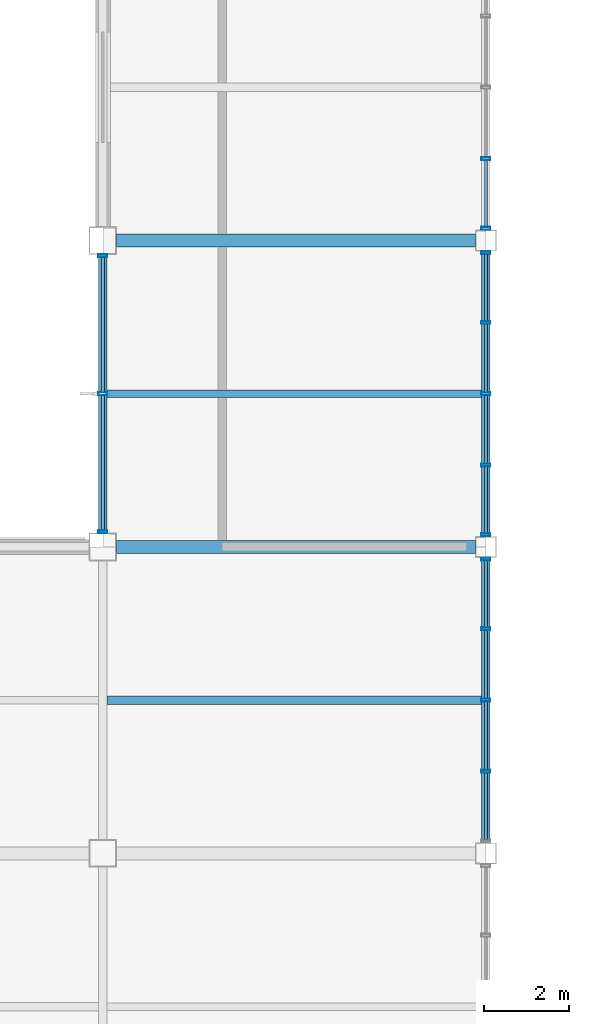
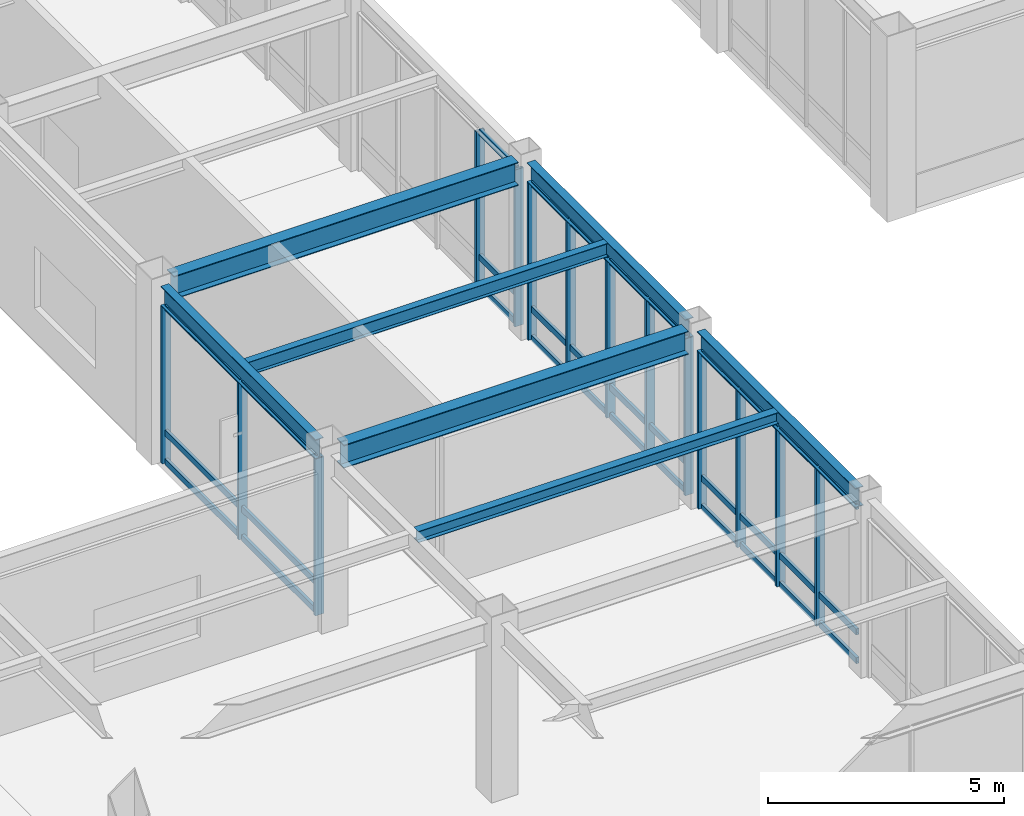
# One storey, part 41 of 112: 47 members, 7 beams, 4 elements without a shape of their own.
"""IFC4 building model written with IfcOpenShell, lengths in metres."""

from ifc_helpers import new_model, si_unit, direction, frame, origin, origin_2d, place, context, subcontext, project, spatial, hollow_rectangle, i_section, extrude, material, material_profile, profile_set, type_object, element, aggregate, save


model = new_model("IFC4")

# Units and contexts
model_context = context("Model", 3, precision=1e-05, world=origin(), true_north=direction((0.0, 1.0)))
body_context = subcontext(model_context, "Body", "Model", "MODEL_VIEW")
ifc_project = project(units=[si_unit("LENGTHUNIT", "METRE"), si_unit("AREAUNIT", "SQUARE_METRE"), si_unit("VOLUMEUNIT", "CUBIC_METRE"), si_unit("PLANEANGLEUNIT", "RADIAN"), si_unit("MASSUNIT", "GRAM", prefix="KILO")], contexts=[model_context])

# Site, building, storey
site_placement = place(None, origin())
site = spatial("IfcSite", under=ifc_project, at=site_placement, CompositionType="ELEMENT")
building_placement = place(site_placement, origin())
building = spatial("IfcBuilding", under=site, at=building_placement, Name="Kazanami Central Library", CompositionType="ELEMENT")
storey_placement = place(building_placement, origin())
storey = spatial("IfcBuildingStorey", under=building, at=storey_placement, Name="L01", CompositionType="ELEMENT", Elevation=0.0)

# Beams
ifc_material_1 = material(Name="Steel SN400B (235 MPa)", Category="steel")
ifc_material_profile_1 = material_profile(ifc_material_1, i_section(OverallWidth=0.175048828125, OverallDepth=0.35009765625, WebThickness=0.007080078125, FlangeThickness=0.010986328125, at=origin_2d()), Name="H-350x175x7x11")
ifc_profile_set_1 = profile_set([ifc_material_profile_1], Name="Steel SN400B (235 MPa)")
beam_type_1 = type_object("IfcBeamType", Name="BM-B-S2", PredefinedType="JOIST", material=ifc_profile_set_1)
beam_1_placement = place(storey_placement, frame((99.097900390625, 39.60009765625, 4.3798828125), z_axis=(1.0, 0.0, 0.0), x_axis=(0.0, 1.0, 0.0)))
element("IfcBeam", 1, at=beam_1_placement, inside=storey, type_object=beam_type_1, Name="Composite Secondary Joist B-S2 L01 Bay 12/F.1", PredefinedType="JOIST", context=body_context, shape_type="SweptSolid", body=[
    extrude(i_section(OverallWidth=0.175048828125, OverallDepth=0.35009765625, WebThickness=0.007080078125, FlangeThickness=0.010986328125, at=origin_2d()), origin(), (0.0, 0.0, 1.0), 8.80419921875),
])
ifc_material_profile_2 = material_profile(ifc_material_1, i_section(OverallWidth=0.199951171875, OverallDepth=0.2939453125, WebThickness=0.008056640625, FlangeThickness=0.011962890625, at=origin_2d()), Name="H-294x200x8x12")
ifc_profile_set_2 = profile_set([ifc_material_profile_2], Name="Steel SN400B (235 MPa)")
beam_type_2 = type_object("IfcBeamType", Name="BM-B-S5", PredefinedType="JOIST", material=ifc_profile_set_2)
beam_2_placement = place(storey_placement, frame((99.097900390625, 32.39990234375, 4.407958984375), z_axis=(1.0, 0.0, 0.0), x_axis=(0.0, 1.0, 0.0)))
element("IfcBeam", 2, at=beam_2_placement, inside=storey, type_object=beam_type_2, Name="Composite Secondary Joist B-S5 L01 Bay 12/E.1", PredefinedType="JOIST", context=body_context, shape_type="SweptSolid", body=[
    extrude(i_section(OverallWidth=0.199951171875, OverallDepth=0.2939453125, WebThickness=0.008056640625, FlangeThickness=0.011962890625, at=origin_2d()), origin(), (0.0, 0.0, 1.0), 8.80419921875),
])
ifc_material_2 = material(Name="Steel SN490B (325 MPa)", Category="steel")
ifc_material_profile_3 = material_profile(ifc_material_2, i_section(OverallWidth=0.300048828125, OverallDepth=0.60009765625, WebThickness=0.011962890625, FlangeThickness=0.02001953125, at=origin_2d()), Name="H-600x300x12x20")
ifc_profile_set_3 = profile_set([ifc_material_profile_3], Name="Steel SN490B (325 MPa)")
beam_type_3 = type_object("IfcBeamType", Name="BM-G-X1", PredefinedType="BEAM", material=ifc_profile_set_3)
for number, where, z_axis, x_axis, name in (
    (3, (99.322998046875, 36.0, 4.2548828125), (1.0, 0.0, 0.0), (0.0, 1.0, 0.0), "Girder G-X1 L01 F/12-13"),
    (4, (99.322998046875, 43.199951171875, 4.2548828125), (1.0, 0.0, 0.0), (0.0, 1.0, 0.0), "Girder G-X1 L01 G/12-13"),
):
    element("IfcBeam", number, at=place(storey_placement, frame(where, z_axis=z_axis, x_axis=x_axis)), inside=storey, type_object=beam_type_3, Name=name, PredefinedType="BEAM", context=body_context, shape_type="SweptSolid", body=[
        extrude(i_section(OverallWidth=0.300048828125, OverallDepth=0.60009765625, WebThickness=0.011962890625, FlangeThickness=0.02001953125, at=origin_2d()), origin(), (0.0, 0.0, 1.0), 8.428955078125),
    ])
ifc_material_profile_4 = material_profile(ifc_material_2, i_section(OverallWidth=0.199951171875, OverallDepth=0.5, WebThickness=0.010009765625, FlangeThickness=0.01611328125, at=origin_2d()), Name="H-500x200x10x16")
ifc_profile_set_4 = profile_set([ifc_material_profile_4], Name="Steel SN490B (325 MPa)")
beam_type_4 = type_object("IfcBeamType", Name="BM-SP-1", PredefinedType="SPANDREL", material=ifc_profile_set_4)
beam_3_placement = place(storey_placement, frame((99.0, 36.322998046875, 4.304931640625), z_axis=(0.0, 1.0, 0.0), x_axis=(-1.0, 0.0, 0.0)))
element("IfcBeam", 5, at=beam_3_placement, inside=storey, type_object=beam_type_4, Name="Girder SP-1 L01 12/F-G", PredefinedType="SPANDREL", context=body_context, shape_type="SweptSolid", body=[
    extrude(i_section(OverallWidth=0.199951171875, OverallDepth=0.5, WebThickness=0.010009765625, FlangeThickness=0.01611328125, at=origin_2d()), origin(), (0.0, 0.0, 1.0), 6.553955078125),
])
for number, where, z_axis, x_axis, name in (
    (6, (108.0, 29.048095703125, 4.304931640625), (0.0, 1.0, 0.0), (-1.0, 0.0, 0.0), "Girder SP-1 L01 13/E-F"),
    (7, (108.0, 36.248046875, 4.304931640625), (0.0, 1.0, 0.0), (-1.0, 0.0, 0.0), "Girder SP-1 L01 13/F-G"),
):
    element("IfcBeam", number, at=place(storey_placement, frame(where, z_axis=z_axis, x_axis=x_axis)), inside=storey, type_object=beam_type_4, Name=name, PredefinedType="SPANDREL", context=body_context, shape_type="SweptSolid", body=[
        extrude(i_section(OverallWidth=0.199951171875, OverallDepth=0.5, WebThickness=0.010009765625, FlangeThickness=0.01611328125, at=origin_2d()), origin(), (0.0, 0.0, 1.0), 6.703857421875),
    ])

# Curtain wall, members
ifc_material_3 = material(Name="Acid-Etched Low-E Laminated Glass", Category="glass")
curtain_wall_type_1 = type_object("IfcCurtainWallType", Name="CW-6550x4055-M275", PredefinedType="USERDEFINED", material=ifc_material_3)
curtain_wall_1_placement = place(storey_placement, origin())
curtain_wall_1 = element("IfcCurtainWall", 8, at=curtain_wall_1_placement, inside=storey, type_object=curtain_wall_type_1, Name="Unitised Curtain Wall CW-10 L01 W-12-05", ObjectType="UNITISED CURTAIN WALL", PredefinedType="USERDEFINED")
ifc_material_4 = material(Name="Anodised Aluminium A6063-T5", Category="aluminium")
ifc_material_profile_5 = material_profile(ifc_material_4, hollow_rectangle(XDim=0.070068359375, YDim=0.2099609375, WallThickness=0.0048828125, at=origin_2d()), Name="ALU-MULL-70x210x5")
ifc_profile_set_5 = profile_set([ifc_material_profile_5], Name="Anodised Aluminium A6063-T5")
member_type_1 = type_object("IfcMemberType", Name="MEM-CW-M1", PredefinedType="MULLION", material=ifc_profile_set_5)
member_1_placement = place(storey_placement, frame((99.0, 36.360107421875, 0.0), z_axis=(0.0, 0.0, 1.0), x_axis=(0.0, 1.0, 0.0)))
member_1 = element("IfcMember", 9, at=member_1_placement, type_object=member_type_1, Name="CW-10 mullion 1", PredefinedType="MULLION", context=body_context, shape_type="SweptSolid", body=[
    extrude(hollow_rectangle(XDim=0.070068359375, YDim=0.2099609375, WallThickness=0.0048828125, at=origin_2d()), origin(), (0.0, 0.0, 1.0), 4.054931640625),
])
member_2_placement = place(storey_placement, frame((99.0, 39.60009765625, 0.0), z_axis=(0.0, 0.0, 1.0), x_axis=(0.0, 1.0, 0.0)))
member_2 = element("IfcMember", 10, at=member_2_placement, type_object=member_type_1, Name="CW-10 mullion 2", PredefinedType="MULLION", context=body_context, shape_type="SweptSolid", body=[
    extrude(hollow_rectangle(XDim=0.070068359375, YDim=0.2099609375, WallThickness=0.0048828125, at=origin_2d()), origin(), (0.0, 0.0, 1.0), 4.054931640625),
])
member_3_placement = place(storey_placement, frame((99.0, 42.840087890625, 0.0), z_axis=(0.0, 0.0, 1.0), x_axis=(0.0, 1.0, 0.0)))
member_3 = element("IfcMember", 11, at=member_3_placement, type_object=member_type_1, Name="CW-10 mullion 3", PredefinedType="MULLION", context=body_context, shape_type="SweptSolid", body=[
    extrude(hollow_rectangle(XDim=0.070068359375, YDim=0.2099609375, WallThickness=0.0048828125, at=origin_2d()), origin(), (0.0, 0.0, 1.0), 4.054931640625),
])

curtain_wall_type_2 = type_object("IfcCurtainWallType", Name="CW-6700x4055-M180", PredefinedType="USERDEFINED", material=ifc_material_3)
curtain_wall_2_placement = place(storey_placement, origin())
curtain_wall_2 = element("IfcCurtainWall", 12, at=curtain_wall_2_placement, inside=storey, type_object=curtain_wall_type_2, Name="Covered Link Bridge Curtain Wall CW-09 L01 E-13-04", ObjectType="UNITISED CURTAIN WALL", PredefinedType="USERDEFINED")
member_4_placement = place(storey_placement, frame((108.0, 35.715087890625, 0.0), z_axis=(0.0, 0.0, 1.0), x_axis=(0.0, -1.0, 0.0)))
member_4 = element("IfcMember", 13, at=member_4_placement, type_object=member_type_1, Name="CW-09 mullion 1", PredefinedType="MULLION", context=body_context, shape_type="SweptSolid", body=[
    extrude(hollow_rectangle(XDim=0.070068359375, YDim=0.2099609375, WallThickness=0.0048828125, at=origin_2d()), origin(), (0.0, 0.0, 1.0), 4.054931640625),
])
member_5_placement = place(storey_placement, frame((108.0, 34.074951171875, 0.0), z_axis=(0.0, 0.0, 1.0), x_axis=(0.0, -1.0, 0.0)))
member_5 = element("IfcMember", 14, at=member_5_placement, type_object=member_type_1, Name="CW-09 mullion 2", PredefinedType="MULLION", context=body_context, shape_type="SweptSolid", body=[
    extrude(hollow_rectangle(XDim=0.070068359375, YDim=0.2099609375, WallThickness=0.0048828125, at=origin_2d()), origin(), (0.0, 0.0, 1.0), 4.054931640625),
])
member_6_placement = place(storey_placement, frame((108.0, 32.39990234375, 0.0), z_axis=(0.0, 0.0, 1.0), x_axis=(0.0, -1.0, 0.0)))
member_6 = element("IfcMember", 15, at=member_6_placement, type_object=member_type_1, Name="CW-09 mullion 3", PredefinedType="MULLION", context=body_context, shape_type="SweptSolid", body=[
    extrude(hollow_rectangle(XDim=0.070068359375, YDim=0.2099609375, WallThickness=0.0048828125, at=origin_2d()), origin(), (0.0, 0.0, 1.0), 4.054931640625),
])
member_7_placement = place(storey_placement, frame((108.0, 30.72509765625, 0.0), z_axis=(0.0, 0.0, 1.0), x_axis=(0.0, -1.0, 0.0)))
member_7 = element("IfcMember", 16, at=member_7_placement, type_object=member_type_1, Name="CW-09 mullion 4", PredefinedType="MULLION", context=body_context, shape_type="SweptSolid", body=[
    extrude(hollow_rectangle(XDim=0.070068359375, YDim=0.2099609375, WallThickness=0.0048828125, at=origin_2d()), origin(), (0.0, 0.0, 1.0), 4.054931640625),
])

curtain_wall_3_placement = place(storey_placement, origin())
curtain_wall_3 = element("IfcCurtainWall", 17, at=curtain_wall_3_placement, inside=storey, type_object=curtain_wall_type_2, Name="Covered Link Bridge Curtain Wall CW-09 L01 E-13-05", ObjectType="UNITISED CURTAIN WALL", PredefinedType="USERDEFINED")
member_8_placement = place(storey_placement, frame((108.0, 42.9150390625, 0.0), z_axis=(0.0, 0.0, 1.0), x_axis=(0.0, -1.0, 0.0)))
member_8 = element("IfcMember", 18, at=member_8_placement, type_object=member_type_1, Name="CW-09 mullion 1", PredefinedType="MULLION", context=body_context, shape_type="SweptSolid", body=[
    extrude(hollow_rectangle(XDim=0.070068359375, YDim=0.2099609375, WallThickness=0.0048828125, at=origin_2d()), origin(), (0.0, 0.0, 1.0), 4.054931640625),
])
member_9_placement = place(storey_placement, frame((108.0, 41.27490234375, 0.0), z_axis=(0.0, 0.0, 1.0), x_axis=(0.0, -1.0, 0.0)))
member_9 = element("IfcMember", 19, at=member_9_placement, type_object=member_type_1, Name="CW-09 mullion 2", PredefinedType="MULLION", context=body_context, shape_type="SweptSolid", body=[
    extrude(hollow_rectangle(XDim=0.070068359375, YDim=0.2099609375, WallThickness=0.0048828125, at=origin_2d()), origin(), (0.0, 0.0, 1.0), 4.054931640625),
])
member_10_placement = place(storey_placement, frame((108.0, 39.60009765625, 0.0), z_axis=(0.0, 0.0, 1.0), x_axis=(0.0, -1.0, 0.0)))
member_10 = element("IfcMember", 20, at=member_10_placement, type_object=member_type_1, Name="CW-09 mullion 3", PredefinedType="MULLION", context=body_context, shape_type="SweptSolid", body=[
    extrude(hollow_rectangle(XDim=0.070068359375, YDim=0.2099609375, WallThickness=0.0048828125, at=origin_2d()), origin(), (0.0, 0.0, 1.0), 4.054931640625),
])
member_11_placement = place(storey_placement, frame((108.0, 37.925048828125, 0.0), z_axis=(0.0, 0.0, 1.0), x_axis=(0.0, -1.0, 0.0)))
member_11 = element("IfcMember", 21, at=member_11_placement, type_object=member_type_1, Name="CW-09 mullion 4", PredefinedType="MULLION", context=body_context, shape_type="SweptSolid", body=[
    extrude(hollow_rectangle(XDim=0.070068359375, YDim=0.2099609375, WallThickness=0.0048828125, at=origin_2d()), origin(), (0.0, 0.0, 1.0), 4.054931640625),
])
member_12_placement = place(storey_placement, frame((108.0, 36.284912109375, 0.0), z_axis=(0.0, 0.0, 1.0), x_axis=(0.0, -1.0, 0.0)))
member_12 = element("IfcMember", 22, at=member_12_placement, type_object=member_type_1, Name="CW-09 mullion 5", PredefinedType="MULLION", context=body_context, shape_type="SweptSolid", body=[
    extrude(hollow_rectangle(XDim=0.070068359375, YDim=0.2099609375, WallThickness=0.0048828125, at=origin_2d()), origin(), (0.0, 0.0, 1.0), 4.054931640625),
])

curtain_wall_4_placement = place(storey_placement, origin())
curtain_wall_4 = element("IfcCurtainWall", 23, at=curtain_wall_4_placement, inside=storey, type_object=curtain_wall_type_2, Name="Covered Link Bridge Curtain Wall CW-09 L01 E-13-06", ObjectType="UNITISED CURTAIN WALL", PredefinedType="USERDEFINED")
member_13_placement = place(storey_placement, frame((108.0, 45.125, 0.0), z_axis=(0.0, 0.0, 1.0), x_axis=(0.0, -1.0, 0.0)))
member_13 = element("IfcMember", 24, at=member_13_placement, type_object=member_type_1, Name="CW-09 mullion 4", PredefinedType="MULLION", context=body_context, shape_type="SweptSolid", body=[
    extrude(hollow_rectangle(XDim=0.070068359375, YDim=0.2099609375, WallThickness=0.0048828125, at=origin_2d()), origin(), (0.0, 0.0, 1.0), 4.054931640625),
])
member_14_placement = place(storey_placement, frame((108.0, 43.485107421875, 0.0), z_axis=(0.0, 0.0, 1.0), x_axis=(0.0, -1.0, 0.0)))
member_14 = element("IfcMember", 25, at=member_14_placement, type_object=member_type_1, Name="CW-09 mullion 5", PredefinedType="MULLION", context=body_context, shape_type="SweptSolid", body=[
    extrude(hollow_rectangle(XDim=0.070068359375, YDim=0.2099609375, WallThickness=0.0048828125, at=origin_2d()), origin(), (0.0, 0.0, 1.0), 4.054931640625),
])

# Member
ifc_material_profile_6 = material_profile(ifc_material_4, hollow_rectangle(XDim=0.070068359375, YDim=0.159912109375, WallThickness=0.00390625, at=origin_2d()), Name="ALU-TRAN-70x160x4")
ifc_profile_set_6 = profile_set([ifc_material_profile_6], Name="Anodised Aluminium A6063-T5")
member_type_2 = type_object("IfcMemberType", Name="MEM-CW-T1", PredefinedType="USERDEFINED", material=ifc_profile_set_6)
member_15_placement = place(storey_placement, frame((99.0, 36.39501953125, 0.034912109375), z_axis=(0.0, 1.0, 0.0), x_axis=(-1.0, 0.0, 0.0)))
member_15 = element("IfcMember", 26, at=member_15_placement, type_object=member_type_2, Name="CW-10 transom 1.1", ObjectType="TRANSOM", PredefinedType="USERDEFINED", context=body_context, shape_type="SweptSolid", body=[
    extrude(hollow_rectangle(XDim=0.070068359375, YDim=0.159912109375, WallThickness=0.00390625, at=origin_2d()), origin(), (0.0, 0.0, 1.0), 3.169921875),
])

member_16_placement = place(storey_placement, frame((99.0, 36.39501953125, 0.780029296875), z_axis=(0.0, 1.0, 0.0), x_axis=(-1.0, 0.0, 0.0)))
member_16 = element("IfcMember", 27, at=member_16_placement, type_object=member_type_2, Name="CW-10 transom 1.2", ObjectType="TRANSOM", PredefinedType="USERDEFINED", context=body_context, shape_type="SweptSolid", body=[
    extrude(hollow_rectangle(XDim=0.070068359375, YDim=0.159912109375, WallThickness=0.00390625, at=origin_2d()), origin(), (0.0, 0.0, 1.0), 3.169921875),
])

member_17_placement = place(storey_placement, frame((99.0, 36.39501953125, 4.02001953125), z_axis=(0.0, 1.0, 0.0), x_axis=(-1.0, 0.0, 0.0)))
member_17 = element("IfcMember", 28, at=member_17_placement, type_object=member_type_2, Name="CW-10 transom 1.3", ObjectType="TRANSOM", PredefinedType="USERDEFINED", context=body_context, shape_type="SweptSolid", body=[
    extrude(hollow_rectangle(XDim=0.070068359375, YDim=0.159912109375, WallThickness=0.00390625, at=origin_2d()), origin(), (0.0, 0.0, 1.0), 3.169921875),
])

member_18_placement = place(storey_placement, frame((99.0, 39.635009765625, 0.034912109375), z_axis=(0.0, 1.0, 0.0), x_axis=(-1.0, 0.0, 0.0)))
member_18 = element("IfcMember", 29, at=member_18_placement, type_object=member_type_2, Name="CW-10 transom 2.1", ObjectType="TRANSOM", PredefinedType="USERDEFINED", context=body_context, shape_type="SweptSolid", body=[
    extrude(hollow_rectangle(XDim=0.070068359375, YDim=0.159912109375, WallThickness=0.00390625, at=origin_2d()), origin(), (0.0, 0.0, 1.0), 3.169921875),
])

member_19_placement = place(storey_placement, frame((99.0, 39.635009765625, 0.780029296875), z_axis=(0.0, 1.0, 0.0), x_axis=(-1.0, 0.0, 0.0)))
member_19 = element("IfcMember", 30, at=member_19_placement, type_object=member_type_2, Name="CW-10 transom 2.2", ObjectType="TRANSOM", PredefinedType="USERDEFINED", context=body_context, shape_type="SweptSolid", body=[
    extrude(hollow_rectangle(XDim=0.070068359375, YDim=0.159912109375, WallThickness=0.00390625, at=origin_2d()), origin(), (0.0, 0.0, 1.0), 3.169921875),
])

member_20_placement = place(storey_placement, frame((99.0, 39.635009765625, 4.02001953125), z_axis=(0.0, 1.0, 0.0), x_axis=(-1.0, 0.0, 0.0)))
member_20 = element("IfcMember", 31, at=member_20_placement, type_object=member_type_2, Name="CW-10 transom 2.3", ObjectType="TRANSOM", PredefinedType="USERDEFINED", context=body_context, shape_type="SweptSolid", body=[
    extrude(hollow_rectangle(XDim=0.070068359375, YDim=0.159912109375, WallThickness=0.00390625, at=origin_2d()), origin(), (0.0, 0.0, 1.0), 3.169921875),
])

aggregate(curtain_wall_1, [member_1, member_2, member_3, member_15, member_16, member_17, member_18, member_19, member_20])

member_21_placement = place(storey_placement, frame((108.0, 35.679931640625, 0.034912109375), z_axis=(0.0, -1.0, 0.0), x_axis=(1.0, 0.0, 0.0)))
member_21 = element("IfcMember", 32, at=member_21_placement, type_object=member_type_2, Name="CW-09 transom 1.1", ObjectType="TRANSOM", PredefinedType="USERDEFINED", context=body_context, shape_type="SweptSolid", body=[
    extrude(hollow_rectangle(XDim=0.070068359375, YDim=0.159912109375, WallThickness=0.00390625, at=origin_2d()), origin(), (0.0, 0.0, 1.0), 1.56982421875),
])

member_22_placement = place(storey_placement, frame((108.0, 35.679931640625, 0.780029296875), z_axis=(0.0, -1.0, 0.0), x_axis=(1.0, 0.0, 0.0)))
member_22 = element("IfcMember", 33, at=member_22_placement, type_object=member_type_2, Name="CW-09 transom 1.2", ObjectType="TRANSOM", PredefinedType="USERDEFINED", context=body_context, shape_type="SweptSolid", body=[
    extrude(hollow_rectangle(XDim=0.070068359375, YDim=0.159912109375, WallThickness=0.00390625, at=origin_2d()), origin(), (0.0, 0.0, 1.0), 1.56982421875),
])

member_23_placement = place(storey_placement, frame((108.0, 35.679931640625, 4.02001953125), z_axis=(0.0, -1.0, 0.0), x_axis=(1.0, 0.0, 0.0)))
member_23 = element("IfcMember", 34, at=member_23_placement, type_object=member_type_2, Name="CW-09 transom 1.3", ObjectType="TRANSOM", PredefinedType="USERDEFINED", context=body_context, shape_type="SweptSolid", body=[
    extrude(hollow_rectangle(XDim=0.070068359375, YDim=0.159912109375, WallThickness=0.00390625, at=origin_2d()), origin(), (0.0, 0.0, 1.0), 1.56982421875),
])

member_24_placement = place(storey_placement, frame((108.0, 34.0400390625, 0.034912109375), z_axis=(0.0, -1.0, 0.0), x_axis=(1.0, 0.0, 0.0)))
member_24 = element("IfcMember", 35, at=member_24_placement, type_object=member_type_2, Name="CW-09 transom 2.1", ObjectType="TRANSOM", PredefinedType="USERDEFINED", context=body_context, shape_type="SweptSolid", body=[
    extrude(hollow_rectangle(XDim=0.070068359375, YDim=0.159912109375, WallThickness=0.00390625, at=origin_2d()), origin(), (0.0, 0.0, 1.0), 1.60498046875),
])

member_25_placement = place(storey_placement, frame((108.0, 34.0400390625, 0.780029296875), z_axis=(0.0, -1.0, 0.0), x_axis=(1.0, 0.0, 0.0)))
member_25 = element("IfcMember", 36, at=member_25_placement, type_object=member_type_2, Name="CW-09 transom 2.2", ObjectType="TRANSOM", PredefinedType="USERDEFINED", context=body_context, shape_type="SweptSolid", body=[
    extrude(hollow_rectangle(XDim=0.070068359375, YDim=0.159912109375, WallThickness=0.00390625, at=origin_2d()), origin(), (0.0, 0.0, 1.0), 1.60498046875),
])

member_26_placement = place(storey_placement, frame((108.0, 34.0400390625, 4.02001953125), z_axis=(0.0, -1.0, 0.0), x_axis=(1.0, 0.0, 0.0)))
member_26 = element("IfcMember", 37, at=member_26_placement, type_object=member_type_2, Name="CW-09 transom 2.3", ObjectType="TRANSOM", PredefinedType="USERDEFINED", context=body_context, shape_type="SweptSolid", body=[
    extrude(hollow_rectangle(XDim=0.070068359375, YDim=0.159912109375, WallThickness=0.00390625, at=origin_2d()), origin(), (0.0, 0.0, 1.0), 1.60498046875),
])

member_27_placement = place(storey_placement, frame((108.0, 32.364990234375, 0.034912109375), z_axis=(0.0, -1.0, 0.0), x_axis=(1.0, 0.0, 0.0)))
member_27 = element("IfcMember", 38, at=member_27_placement, type_object=member_type_2, Name="CW-09 transom 3.1", ObjectType="TRANSOM", PredefinedType="USERDEFINED", context=body_context, shape_type="SweptSolid", body=[
    extrude(hollow_rectangle(XDim=0.070068359375, YDim=0.159912109375, WallThickness=0.00390625, at=origin_2d()), origin(), (0.0, 0.0, 1.0), 1.60498046875),
])

member_28_placement = place(storey_placement, frame((108.0, 32.364990234375, 0.780029296875), z_axis=(0.0, -1.0, 0.0), x_axis=(1.0, 0.0, 0.0)))
member_28 = element("IfcMember", 39, at=member_28_placement, type_object=member_type_2, Name="CW-09 transom 3.2", ObjectType="TRANSOM", PredefinedType="USERDEFINED", context=body_context, shape_type="SweptSolid", body=[
    extrude(hollow_rectangle(XDim=0.070068359375, YDim=0.159912109375, WallThickness=0.00390625, at=origin_2d()), origin(), (0.0, 0.0, 1.0), 1.60498046875),
])

member_29_placement = place(storey_placement, frame((108.0, 32.364990234375, 4.02001953125), z_axis=(0.0, -1.0, 0.0), x_axis=(1.0, 0.0, 0.0)))
member_29 = element("IfcMember", 40, at=member_29_placement, type_object=member_type_2, Name="CW-09 transom 3.3", ObjectType="TRANSOM", PredefinedType="USERDEFINED", context=body_context, shape_type="SweptSolid", body=[
    extrude(hollow_rectangle(XDim=0.070068359375, YDim=0.159912109375, WallThickness=0.00390625, at=origin_2d()), origin(), (0.0, 0.0, 1.0), 1.60498046875),
])

member_30_placement = place(storey_placement, frame((108.0, 30.68994140625, 0.034912109375), z_axis=(0.0, -1.0, 0.0), x_axis=(1.0, 0.0, 0.0)))
member_30 = element("IfcMember", 41, at=member_30_placement, type_object=member_type_2, Name="CW-09 transom 4.1", ObjectType="TRANSOM", PredefinedType="USERDEFINED", context=body_context, shape_type="SweptSolid", body=[
    extrude(hollow_rectangle(XDim=0.070068359375, YDim=0.159912109375, WallThickness=0.00390625, at=origin_2d()), origin(), (0.0, 0.0, 1.0), 1.56982421875),
])

member_31_placement = place(storey_placement, frame((108.0, 30.68994140625, 0.780029296875), z_axis=(0.0, -1.0, 0.0), x_axis=(1.0, 0.0, 0.0)))
member_31 = element("IfcMember", 42, at=member_31_placement, type_object=member_type_2, Name="CW-09 transom 4.2", ObjectType="TRANSOM", PredefinedType="USERDEFINED", context=body_context, shape_type="SweptSolid", body=[
    extrude(hollow_rectangle(XDim=0.070068359375, YDim=0.159912109375, WallThickness=0.00390625, at=origin_2d()), origin(), (0.0, 0.0, 1.0), 1.56982421875),
])

member_32_placement = place(storey_placement, frame((108.0, 30.68994140625, 4.02001953125), z_axis=(0.0, -1.0, 0.0), x_axis=(1.0, 0.0, 0.0)))
member_32 = element("IfcMember", 43, at=member_32_placement, type_object=member_type_2, Name="CW-09 transom 4.3", ObjectType="TRANSOM", PredefinedType="USERDEFINED", context=body_context, shape_type="SweptSolid", body=[
    extrude(hollow_rectangle(XDim=0.070068359375, YDim=0.159912109375, WallThickness=0.00390625, at=origin_2d()), origin(), (0.0, 0.0, 1.0), 1.56982421875),
])

aggregate(curtain_wall_2, [member_4, member_5, member_6, member_7, member_21, member_22, member_23, member_24, member_25, member_26, member_27, member_28, member_29, member_30, member_31, member_32])

member_33_placement = place(storey_placement, frame((108.0, 42.8798828125, 0.034912109375), z_axis=(0.0, -1.0, 0.0), x_axis=(1.0, 0.0, 0.0)))
member_33 = element("IfcMember", 44, at=member_33_placement, type_object=member_type_2, Name="CW-09 transom 1.1", ObjectType="TRANSOM", PredefinedType="USERDEFINED", context=body_context, shape_type="SweptSolid", body=[
    extrude(hollow_rectangle(XDim=0.070068359375, YDim=0.159912109375, WallThickness=0.00390625, at=origin_2d()), origin(), (0.0, 0.0, 1.0), 1.56982421875),
])

member_34_placement = place(storey_placement, frame((108.0, 42.8798828125, 0.780029296875), z_axis=(0.0, -1.0, 0.0), x_axis=(1.0, 0.0, 0.0)))
member_34 = element("IfcMember", 45, at=member_34_placement, type_object=member_type_2, Name="CW-09 transom 1.2", ObjectType="TRANSOM", PredefinedType="USERDEFINED", context=body_context, shape_type="SweptSolid", body=[
    extrude(hollow_rectangle(XDim=0.070068359375, YDim=0.159912109375, WallThickness=0.00390625, at=origin_2d()), origin(), (0.0, 0.0, 1.0), 1.56982421875),
])

member_35_placement = place(storey_placement, frame((108.0, 42.8798828125, 4.02001953125), z_axis=(0.0, -1.0, 0.0), x_axis=(1.0, 0.0, 0.0)))
member_35 = element("IfcMember", 46, at=member_35_placement, type_object=member_type_2, Name="CW-09 transom 1.3", ObjectType="TRANSOM", PredefinedType="USERDEFINED", context=body_context, shape_type="SweptSolid", body=[
    extrude(hollow_rectangle(XDim=0.070068359375, YDim=0.159912109375, WallThickness=0.00390625, at=origin_2d()), origin(), (0.0, 0.0, 1.0), 1.56982421875),
])

member_36_placement = place(storey_placement, frame((108.0, 41.239990234375, 0.034912109375), z_axis=(0.0, -1.0, 0.0), x_axis=(1.0, 0.0, 0.0)))
member_36 = element("IfcMember", 47, at=member_36_placement, type_object=member_type_2, Name="CW-09 transom 2.1", ObjectType="TRANSOM", PredefinedType="USERDEFINED", context=body_context, shape_type="SweptSolid", body=[
    extrude(hollow_rectangle(XDim=0.070068359375, YDim=0.159912109375, WallThickness=0.00390625, at=origin_2d()), origin(), (0.0, 0.0, 1.0), 1.60498046875),
])

member_37_placement = place(storey_placement, frame((108.0, 41.239990234375, 0.780029296875), z_axis=(0.0, -1.0, 0.0), x_axis=(1.0, 0.0, 0.0)))
member_37 = element("IfcMember", 48, at=member_37_placement, type_object=member_type_2, Name="CW-09 transom 2.2", ObjectType="TRANSOM", PredefinedType="USERDEFINED", context=body_context, shape_type="SweptSolid", body=[
    extrude(hollow_rectangle(XDim=0.070068359375, YDim=0.159912109375, WallThickness=0.00390625, at=origin_2d()), origin(), (0.0, 0.0, 1.0), 1.60498046875),
])

member_38_placement = place(storey_placement, frame((108.0, 41.239990234375, 4.02001953125), z_axis=(0.0, -1.0, 0.0), x_axis=(1.0, 0.0, 0.0)))
member_38 = element("IfcMember", 49, at=member_38_placement, type_object=member_type_2, Name="CW-09 transom 2.3", ObjectType="TRANSOM", PredefinedType="USERDEFINED", context=body_context, shape_type="SweptSolid", body=[
    extrude(hollow_rectangle(XDim=0.070068359375, YDim=0.159912109375, WallThickness=0.00390625, at=origin_2d()), origin(), (0.0, 0.0, 1.0), 1.60498046875),
])

member_39_placement = place(storey_placement, frame((108.0, 39.56494140625, 0.034912109375), z_axis=(0.0, -1.0, 0.0), x_axis=(1.0, 0.0, 0.0)))
member_39 = element("IfcMember", 50, at=member_39_placement, type_object=member_type_2, Name="CW-09 transom 3.1", ObjectType="TRANSOM", PredefinedType="USERDEFINED", context=body_context, shape_type="SweptSolid", body=[
    extrude(hollow_rectangle(XDim=0.070068359375, YDim=0.159912109375, WallThickness=0.00390625, at=origin_2d()), origin(), (0.0, 0.0, 1.0), 1.60498046875),
])

member_40_placement = place(storey_placement, frame((108.0, 39.56494140625, 0.780029296875), z_axis=(0.0, -1.0, 0.0), x_axis=(1.0, 0.0, 0.0)))
member_40 = element("IfcMember", 51, at=member_40_placement, type_object=member_type_2, Name="CW-09 transom 3.2", ObjectType="TRANSOM", PredefinedType="USERDEFINED", context=body_context, shape_type="SweptSolid", body=[
    extrude(hollow_rectangle(XDim=0.070068359375, YDim=0.159912109375, WallThickness=0.00390625, at=origin_2d()), origin(), (0.0, 0.0, 1.0), 1.60498046875),
])

member_41_placement = place(storey_placement, frame((108.0, 39.56494140625, 4.02001953125), z_axis=(0.0, -1.0, 0.0), x_axis=(1.0, 0.0, 0.0)))
member_41 = element("IfcMember", 52, at=member_41_placement, type_object=member_type_2, Name="CW-09 transom 3.3", ObjectType="TRANSOM", PredefinedType="USERDEFINED", context=body_context, shape_type="SweptSolid", body=[
    extrude(hollow_rectangle(XDim=0.070068359375, YDim=0.159912109375, WallThickness=0.00390625, at=origin_2d()), origin(), (0.0, 0.0, 1.0), 1.60498046875),
])

member_42_placement = place(storey_placement, frame((108.0, 37.889892578125, 0.034912109375), z_axis=(0.0, -1.0, 0.0), x_axis=(1.0, 0.0, 0.0)))
member_42 = element("IfcMember", 53, at=member_42_placement, type_object=member_type_2, Name="CW-09 transom 4.1", ObjectType="TRANSOM", PredefinedType="USERDEFINED", context=body_context, shape_type="SweptSolid", body=[
    extrude(hollow_rectangle(XDim=0.070068359375, YDim=0.159912109375, WallThickness=0.00390625, at=origin_2d()), origin(), (0.0, 0.0, 1.0), 1.56982421875),
])

member_43_placement = place(storey_placement, frame((108.0, 37.889892578125, 0.780029296875), z_axis=(0.0, -1.0, 0.0), x_axis=(1.0, 0.0, 0.0)))
member_43 = element("IfcMember", 54, at=member_43_placement, type_object=member_type_2, Name="CW-09 transom 4.2", ObjectType="TRANSOM", PredefinedType="USERDEFINED", context=body_context, shape_type="SweptSolid", body=[
    extrude(hollow_rectangle(XDim=0.070068359375, YDim=0.159912109375, WallThickness=0.00390625, at=origin_2d()), origin(), (0.0, 0.0, 1.0), 1.56982421875),
])

member_44_placement = place(storey_placement, frame((108.0, 37.889892578125, 4.02001953125), z_axis=(0.0, -1.0, 0.0), x_axis=(1.0, 0.0, 0.0)))
member_44 = element("IfcMember", 55, at=member_44_placement, type_object=member_type_2, Name="CW-09 transom 4.3", ObjectType="TRANSOM", PredefinedType="USERDEFINED", context=body_context, shape_type="SweptSolid", body=[
    extrude(hollow_rectangle(XDim=0.070068359375, YDim=0.159912109375, WallThickness=0.00390625, at=origin_2d()), origin(), (0.0, 0.0, 1.0), 1.56982421875),
])

aggregate(curtain_wall_3, [member_8, member_9, member_10, member_11, member_12, member_33, member_34, member_35, member_36, member_37, member_38, member_39, member_40, member_41, member_42, member_43, member_44])

member_45_placement = place(storey_placement, frame((108.0, 45.090087890625, 0.034912109375), z_axis=(0.0, -1.0, 0.0), x_axis=(1.0, 0.0, 0.0)))
member_45 = element("IfcMember", 56, at=member_45_placement, type_object=member_type_2, Name="CW-09 transom 4.1", ObjectType="TRANSOM", PredefinedType="USERDEFINED", context=body_context, shape_type="SweptSolid", body=[
    extrude(hollow_rectangle(XDim=0.070068359375, YDim=0.159912109375, WallThickness=0.00390625, at=origin_2d()), origin(), (0.0, 0.0, 1.0), 1.570068359375),
])

member_46_placement = place(storey_placement, frame((108.0, 45.090087890625, 0.780029296875), z_axis=(0.0, -1.0, 0.0), x_axis=(1.0, 0.0, 0.0)))
member_46 = element("IfcMember", 57, at=member_46_placement, type_object=member_type_2, Name="CW-09 transom 4.2", ObjectType="TRANSOM", PredefinedType="USERDEFINED", context=body_context, shape_type="SweptSolid", body=[
    extrude(hollow_rectangle(XDim=0.070068359375, YDim=0.159912109375, WallThickness=0.00390625, at=origin_2d()), origin(), (0.0, 0.0, 1.0), 1.570068359375),
])

member_47_placement = place(storey_placement, frame((108.0, 45.090087890625, 4.02001953125), z_axis=(0.0, -1.0, 0.0), x_axis=(1.0, 0.0, 0.0)))
member_47 = element("IfcMember", 58, at=member_47_placement, type_object=member_type_2, Name="CW-09 transom 4.3", ObjectType="TRANSOM", PredefinedType="USERDEFINED", context=body_context, shape_type="SweptSolid", body=[
    extrude(hollow_rectangle(XDim=0.070068359375, YDim=0.159912109375, WallThickness=0.00390625, at=origin_2d()), origin(), (0.0, 0.0, 1.0), 1.570068359375),
])

aggregate(curtain_wall_4, [member_13, member_14, member_45, member_46, member_47])

save(model, "model.ifc")
